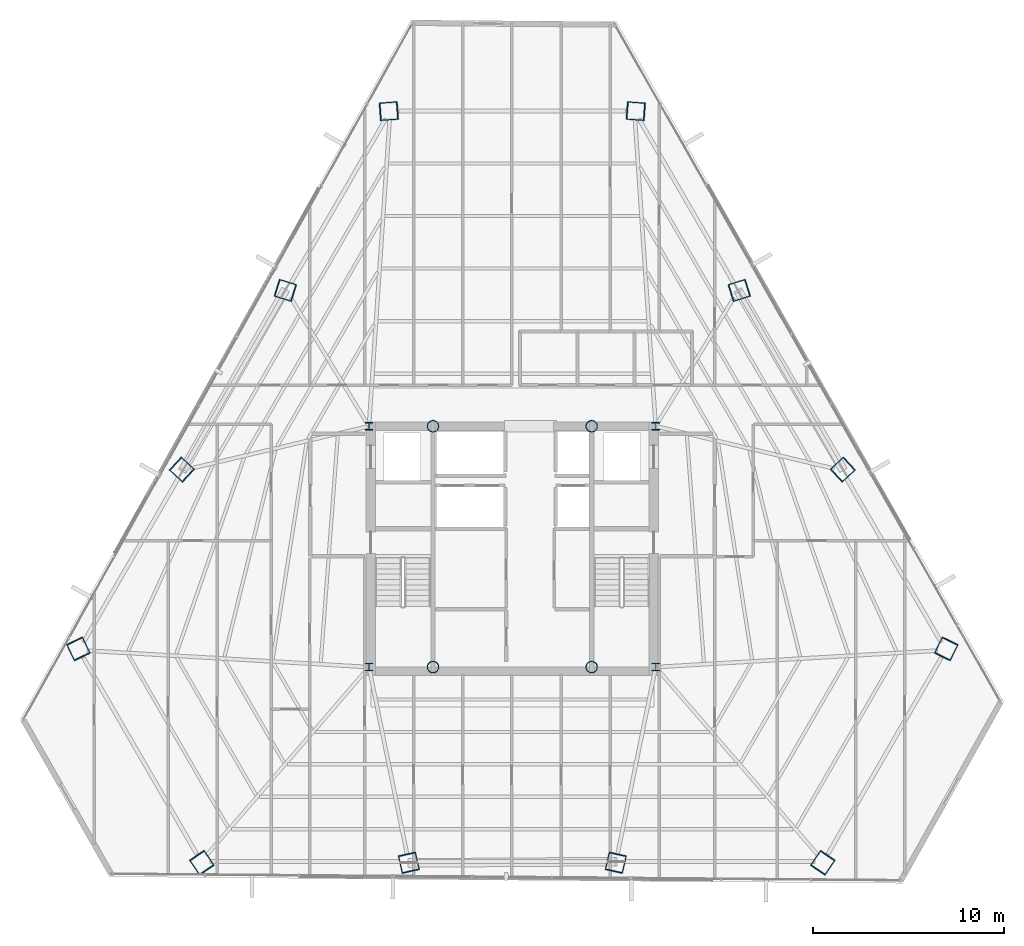
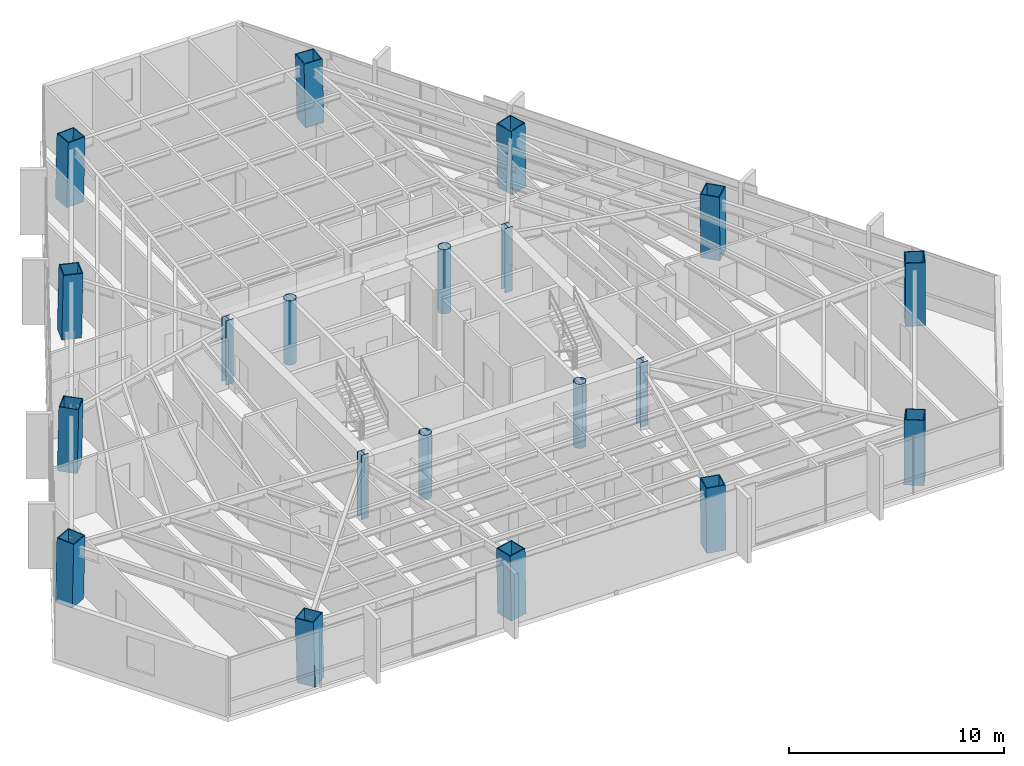
# One storey, part 1 of 40: 20 columns.
"""IFC4 building model written with IfcOpenShell, lengths in metres."""

from ifc_helpers import new_model, si_unit, direction, frame, origin, origin_2d, place, context, subcontext, project, spatial, hollow_rectangle, hollow_circle, i_section, extrude, source, transform, mapped, material, material_profile, profile_set, type_object, type_shapes, element, save


model = new_model("IFC4")

# Units and contexts
model_context = context("Model", 3, precision=1e-05, world=origin(), true_north=direction((0.0, 1.0)))
body_context = subcontext(model_context, "Body", "Model", "MODEL_VIEW")
ifc_project = project(units=[si_unit("LENGTHUNIT", "METRE"), si_unit("AREAUNIT", "SQUARE_METRE"), si_unit("VOLUMEUNIT", "CUBIC_METRE"), si_unit("PLANEANGLEUNIT", "RADIAN"), si_unit("MASSUNIT", "GRAM", prefix="KILO")], contexts=[model_context])

# Site, building, storey
site_placement = place(None, origin())
site = spatial("IfcSite", under=ifc_project, at=site_placement, CompositionType="ELEMENT")
building_placement = place(site_placement, origin())
building = spatial("IfcBuilding", under=site, at=building_placement, Name="Caelisora Broadcast Tower", CompositionType="ELEMENT")
storey_placement = place(building_placement, frame((0.0, 0.0, 146.39990234375)))
storey = spatial("IfcBuildingStorey", under=building, at=storey_placement, Name="L38", CompositionType="ELEMENT", Elevation=146.39990234375)

# Columns
ifc_material_1 = material(Name="Steel Grade 350 (AS/NZS 3679.2)", Category="steel")
ifc_material_profile_1 = material_profile(ifc_material_1, i_section(OverallWidth=0.39990234375, OverallDepth=0.39990234375, WebThickness=0.02001953125, FlangeThickness=0.031982421875, at=origin_2d()), Name="Steel Grade 350 (AS/NZS 3679.2)")
ifc_profile_set_1 = profile_set([ifc_material_profile_1], Name="Steel Grade 350 (AS/NZS 3679.2)")
column_type_1 = type_object("IfcColumnType", Name="CC02", PredefinedType="COLUMN", material=ifc_profile_set_1)
shared_shape_1 = source(origin(), body_context, "Body", "SweptSolid", [
    extrude(i_section(OverallWidth=0.39990234375, OverallDepth=0.39990234375, WebThickness=0.02001953125, FlangeThickness=0.031982421875, at=origin_2d()), origin(), (0.0, 0.0, 1.0), 3.650146484375),
])
type_shapes(column_type_1, [shared_shape_1])
for number, where, z_axis, x_axis, name in (
    (1, (30.5, 17.39990234375, 0.0), (0.0, 0.0, 1.0), (1.0, 0.0, 0.0), "L38 column CC02"),
    (2, (45.5, 17.39990234375, 0.0), (0.0, 0.0, 1.0), (1.0, 0.0, 0.0), "L38 column CC02"),
    (3, (45.5, 30.0, 0.0), (0.0, 0.0, 1.0), (1.0, 0.0, 0.0), "L38 column CC02"),
    (4, (30.5, 30.0, 0.0), (0.0, 0.0, 1.0), (1.0, 0.0, 0.0), "L38 column CC02"),
):
    element("IfcColumn", number, at=place(storey_placement, frame(where, z_axis=z_axis, x_axis=x_axis)), inside=storey, type_object=column_type_1, Name=name, PredefinedType="COLUMN", context=body_context, shape_type="MappedRepresentation", body=[
        mapped(shared_shape_1, transform((0.0, 0.0, 0.0), scale=1.0)),
    ])
ifc_material_2 = material(Name="Steel Grade 350 L15 (AS/NZS 3678)", Category="steel")
ifc_material_profile_2 = material_profile(ifc_material_2, hollow_circle(Radius=0.304931640625, WallThickness=0.02490234375, at=origin_2d()), Name="Steel Grade 350 L15 (AS/NZS 3678)")
ifc_profile_set_2 = profile_set([ifc_material_profile_2], Name="Steel Grade 350 L15 (AS/NZS 3678)")
column_type_2 = type_object("IfcColumnType", Name="CC06", PredefinedType="COLUMN", material=ifc_profile_set_2)
shared_shape_2 = source(origin(), body_context, "Body", "SweptSolid", [
    extrude(hollow_circle(Radius=0.304931640625, WallThickness=0.02490234375, at=origin_2d()), origin(), (0.0, 0.0, 1.0), 3.650146484375),
])
type_shapes(column_type_2, [shared_shape_2])
for number, where, z_axis, x_axis, name in (
    (5, (33.85009765625, 17.39990234375, 0.0), (0.0, 0.0, 1.0), (1.0, 0.0, 0.0), "L38 column CC06"),
    (6, (42.14990234375, 17.39990234375, 0.0), (0.0, 0.0, 1.0), (1.0, 0.0, 0.0), "L38 column CC06"),
    (7, (33.85009765625, 30.0, 0.0), (0.0, 0.0, 1.0), (1.0, 0.0, 0.0), "L38 column CC06"),
    (8, (42.14990234375, 30.0, 0.0), (0.0, 0.0, 1.0), (1.0, 0.0, 0.0), "L38 column CC06"),
):
    element("IfcColumn", number, at=place(storey_placement, frame(where, z_axis=z_axis, x_axis=x_axis)), inside=storey, type_object=column_type_2, Name=name, PredefinedType="COLUMN", context=body_context, shape_type="MappedRepresentation", body=[
        mapped(shared_shape_2, transform((0.0, 0.0, 0.0), scale=1.0)),
    ])
ifc_material_profile_3 = material_profile(ifc_material_2, hollow_rectangle(XDim=0.949951171875, YDim=0.949951171875, WallThickness=0.050048828125, at=origin_2d()), Name="Steel Grade 350 L15 (AS/NZS 3678)")
ifc_profile_set_3 = profile_set([ifc_material_profile_3], Name="Steel Grade 350 L15 (AS/NZS 3678)")
column_type_3 = type_object("IfcColumnType", Name="MC04", PredefinedType="COLUMN", material=ifc_profile_set_3)
shared_shape_3 = source(origin(), body_context, "Body", "SweptSolid", [
    extrude(hollow_rectangle(XDim=0.949951171875, YDim=0.949951171875, WallThickness=0.050048828125, at=origin_2d()), origin(), (0.0, 0.0, 1.0), 3.65087890625),
])
for number, where, z_axis, x_axis, name in (
    (9, (26.115478515625, 37.109375, 0.0), (0.01939269685, -0.00601842316, 0.999793829693), (0.296399214872, 0.955064136811, 0.0), "L38 column MC04"),
    (10, (20.704833984375, 27.737548828125, 0.0), (0.014912316331, -0.013775502979, 0.999793907933), (0.678553674548, 0.734550822447, 0.0), "L38 column MC04"),
    (11, (32.589111328125, 7.153076171875, 0.0), (-0.004480382638, 0.019793929266, 0.999794042058), (-0.975326687046, -0.220766513622, 0.0), "L38 column MC04"),
    (12, (43.410888671875, 7.153076171875, 0.0), (0.004480382638, 0.019793929266, 0.999794042058), (-0.975326687046, 0.220766513622, 0.0), "L38 column MC04"),
    (13, (55.295166015625, 27.737548828125, 0.0), (-0.014912316331, -0.013775502979, 0.999793907933), (0.678553674548, -0.734550822447, 0.0), "L38 column MC04"),
    (14, (49.884521484375, 37.109375, 0.0), (-0.01939269685, -0.00601842316, 0.999793829693), (0.296399214872, -0.955064136811, 0.0), "L38 column MC04"),
):
    element("IfcColumn", number, at=place(storey_placement, frame(where, z_axis=z_axis, x_axis=x_axis)), inside=storey, type_object=column_type_3, Name=name, PredefinedType="COLUMN", context=body_context, shape_type="MappedRepresentation", body=[
        mapped(shared_shape_3, transform((0.0, 0.0, 0.0), scale=1.0)),
    ])
shared_shape_4 = source(origin(), body_context, "Body", "SweptSolid", [
    extrude(hollow_rectangle(XDim=0.949951171875, YDim=0.949951171875, WallThickness=0.050048828125, at=origin_2d()), origin(), (0.0, 0.0, 1.0), 3.651123046875),
])
type_shapes(column_type_3, [shared_shape_3, shared_shape_4])
for number, where, z_axis, x_axis, name in (
    (15, (44.4736328125, 46.481201171875, 0.0), (-0.023871161178, 0.00173851594, 0.999713531581), (-0.07263675076, -0.997358462359, 0.0), "L38 column MC04"),
    (16, (31.5263671875, 46.481201171875, 0.0), (0.023871161178, 0.00173851594, 0.999713531581), (-0.07263675076, 0.997358462359, 0.0), "L38 column MC04"),
    (17, (15.2939453125, 18.36572265625, 0.0), (0.010431098089, -0.021530856313, 0.999713766245), (0.899947055326, 0.435999194506, 0.0), "L38 column MC04"),
    (18, (21.767578125, 7.153076171875, 0.0), (-0.013440068782, 0.019792340097, 0.999713772949), (-0.827290216258, -0.561774775229, 0.0), "L38 column MC04"),
    (19, (54.232421875, 7.153076171875, 0.0), (0.013440068782, 0.019792340097, 0.999713772949), (-0.827290216258, 0.561774775229, 0.0), "L38 column MC04"),
    (20, (60.7060546875, 18.36572265625, 0.0), (-0.010431098089, -0.021530856313, 0.999713766245), (0.899947055326, -0.435999194506, 0.0), "L38 column MC04"),
):
    element("IfcColumn", number, at=place(storey_placement, frame(where, z_axis=z_axis, x_axis=x_axis)), inside=storey, type_object=column_type_3, Name=name, PredefinedType="COLUMN", context=body_context, shape_type="MappedRepresentation", body=[
        mapped(shared_shape_4, transform((0.0, 0.0, 0.0), scale=1.0)),
    ])

save(model, "model.ifc")
